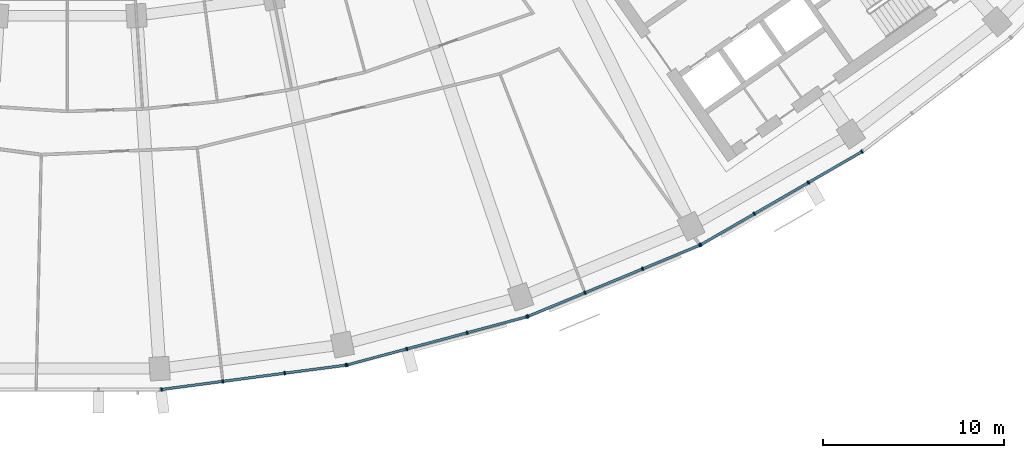
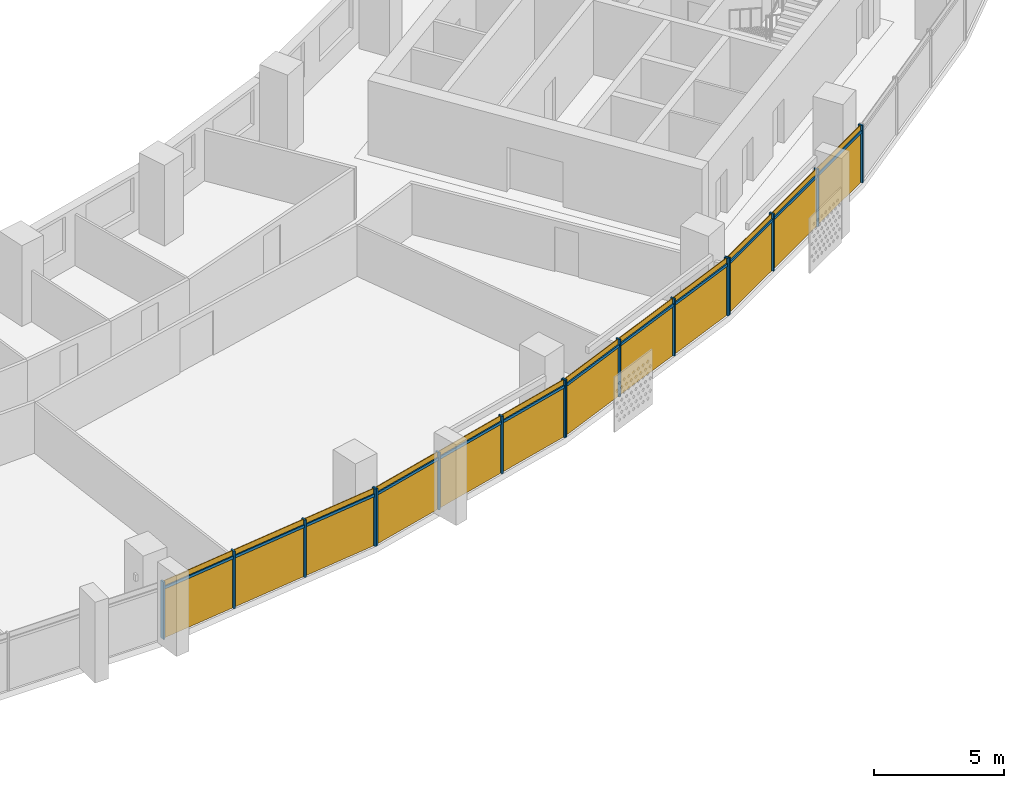
# One storey, part 21 of 26: 28 members, 4 curtain walls.
"""IFC4 building model written with IfcOpenShell, lengths in metres."""

from ifc_helpers import new_model, si_unit, direction, frame, origin, origin_2d, place, context, subcontext, project, spatial, rectangle, extrude, material, material_profile, profile_set, type_object, element, aggregate, save


model = new_model("IFC4")

# Units and contexts
model_context = context("Model", 3, precision=1e-05, world=origin(), true_north=direction((0.0, 1.0)))
body_context = subcontext(model_context, "Body", "Model", "MODEL_VIEW")
ifc_project = project(units=[si_unit("LENGTHUNIT", "METRE"), si_unit("AREAUNIT", "SQUARE_METRE"), si_unit("VOLUMEUNIT", "CUBIC_METRE"), si_unit("PLANEANGLEUNIT", "RADIAN"), si_unit("MASSUNIT", "GRAM", prefix="KILO")], contexts=[model_context])

# Member
ifc_material = material(Name="Aluminium 6063-T6 anodised", Category="aluminium")
ifc_material_profile_1 = material_profile(ifc_material, rectangle(XDim=0.199951171875, YDim=0.070068359375, at=origin_2d()))
ifc_profile_set_1 = profile_set([ifc_material_profile_1], Name="Aluminium 6063-T6 anodised")
member_type_1 = type_object("IfcMemberType", Name="Mullion 70 x 200 aluminium", PredefinedType="MULLION", material=ifc_profile_set_1)
site_placement = place(None, origin())
building_placement = place(site_placement, origin())
storey_placement = place(building_placement, frame((0.0, 0.0, 183.5)))
member_1_placement = place(storey_placement, frame((5.1884765625, -78.72705078125, 0.0), z_axis=(0.0, 0.0, 1.0), x_axis=(-0.13052619222, 0.991444861374, 0.0)))
member_1 = element("IfcMember", 1, at=member_1_placement, type_object=member_type_1, Name="e-cw1-L43-out08/M00", PredefinedType="MULLION", context=body_context, shape_type="SweptSolid", body=[
    extrude(rectangle(XDim=0.199951171875, YDim=0.070068359375, at=origin_2d()), origin(), (0.0, 0.0, 1.0), 2.699951171875),
])

member_2_placement = place(storey_placement, frame((8.56884765625, -78.2822265625, 0.0), z_axis=(0.0, 0.0, 1.0), x_axis=(-0.13052619222, 0.991444861374, 0.0)))
member_2 = element("IfcMember", 2, at=member_2_placement, type_object=member_type_1, Name="e-cw1-L43-out08/M01", PredefinedType="MULLION", context=body_context, shape_type="SweptSolid", body=[
    extrude(rectangle(XDim=0.199951171875, YDim=0.070068359375, at=origin_2d()), origin(), (0.0, 0.0, 1.0), 2.699951171875),
])

member_3_placement = place(storey_placement, frame((11.98388671875, -77.83251953125, 0.0), z_axis=(0.0, 0.0, 1.0), x_axis=(-0.13052619222, 0.991444861374, 0.0)))
member_3 = element("IfcMember", 3, at=member_3_placement, type_object=member_type_1, Name="e-cw1-L43-out08/M02", PredefinedType="MULLION", context=body_context, shape_type="SweptSolid", body=[
    extrude(rectangle(XDim=0.199951171875, YDim=0.070068359375, at=origin_2d()), origin(), (0.0, 0.0, 1.0), 2.699951171875),
])

member_4_placement = place(storey_placement, frame((15.364501953125, -77.387451171875, 0.0), z_axis=(0.0, 0.0, 1.0), x_axis=(-0.13052619222, 0.991444861374, 0.0)))
member_4 = element("IfcMember", 4, at=member_4_placement, type_object=member_type_1, Name="e-cw1-L43-out08/M03", PredefinedType="MULLION", context=body_context, shape_type="SweptSolid", body=[
    extrude(rectangle(XDim=0.199951171875, YDim=0.070068359375, at=origin_2d()), origin(), (0.0, 0.0, 1.0), 2.699951171875),
])

member_5_placement = place(storey_placement, frame((15.420166015625, -77.37646484375, 0.0), z_axis=(0.0, 0.0, 1.0), x_axis=(-0.258819045103, 0.965925826289, 0.0)))
member_5 = element("IfcMember", 5, at=member_5_placement, type_object=member_type_1, Name="e-cw1-L43-out09/M00", PredefinedType="MULLION", context=body_context, shape_type="SweptSolid", body=[
    extrude(rectangle(XDim=0.199951171875, YDim=0.070068359375, at=origin_2d()), origin(), (0.0, 0.0, 1.0), 2.699951171875),
])

member_6_placement = place(storey_placement, frame((18.71337890625, -76.493896484375, 0.0), z_axis=(0.0, 0.0, 1.0), x_axis=(-0.258819045103, 0.965925826289, 0.0)))
member_6 = element("IfcMember", 6, at=member_6_placement, type_object=member_type_1, Name="e-cw1-L43-out09/M01", PredefinedType="MULLION", context=body_context, shape_type="SweptSolid", body=[
    extrude(rectangle(XDim=0.199951171875, YDim=0.070068359375, at=origin_2d()), origin(), (0.0, 0.0, 1.0), 2.699951171875),
])

member_7_placement = place(storey_placement, frame((22.04052734375, -75.602294921875, 0.0), z_axis=(0.0, 0.0, 1.0), x_axis=(-0.258819045103, 0.965925826289, 0.0)))
member_7 = element("IfcMember", 7, at=member_7_placement, type_object=member_type_1, Name="e-cw1-L43-out09/M02", PredefinedType="MULLION", context=body_context, shape_type="SweptSolid", body=[
    extrude(rectangle(XDim=0.199951171875, YDim=0.070068359375, at=origin_2d()), origin(), (0.0, 0.0, 1.0), 2.699951171875),
])

member_8_placement = place(storey_placement, frame((25.333984375, -74.719970703125, 0.0), z_axis=(0.0, 0.0, 1.0), x_axis=(-0.258819045103, 0.965925826289, 0.0)))
member_8 = element("IfcMember", 8, at=member_8_placement, type_object=member_type_1, Name="e-cw1-L43-out09/M03", PredefinedType="MULLION", context=body_context, shape_type="SweptSolid", body=[
    extrude(rectangle(XDim=0.199951171875, YDim=0.070068359375, at=origin_2d()), origin(), (0.0, 0.0, 1.0), 2.699951171875),
])

member_9_placement = place(storey_placement, frame((25.3876953125, -74.70166015625, 0.0), z_axis=(0.0, 0.0, 1.0), x_axis=(-0.382683432365, 0.923879532511, 0.0)))
member_9 = element("IfcMember", 9, at=member_9_placement, type_object=member_type_1, Name="e-cw1-L43-out10/M00", PredefinedType="MULLION", context=body_context, shape_type="SweptSolid", body=[
    extrude(rectangle(XDim=0.199951171875, YDim=0.070068359375, at=origin_2d()), origin(), (0.0, 0.0, 1.0), 2.699951171875),
])

member_10_placement = place(storey_placement, frame((28.537841796875, -73.39697265625, 0.0), z_axis=(0.0, 0.0, 1.0), x_axis=(-0.382683432365, 0.923879532511, 0.0)))
member_10 = element("IfcMember", 10, at=member_10_placement, type_object=member_type_1, Name="e-cw1-L43-out10/M01", PredefinedType="MULLION", context=body_context, shape_type="SweptSolid", body=[
    extrude(rectangle(XDim=0.199951171875, YDim=0.070068359375, at=origin_2d()), origin(), (0.0, 0.0, 1.0), 2.699951171875),
])

member_11_placement = place(storey_placement, frame((31.72021484375, -72.078857421875, 0.0), z_axis=(0.0, 0.0, 1.0), x_axis=(-0.382683432365, 0.923879532511, 0.0)))
member_11 = element("IfcMember", 11, at=member_11_placement, type_object=member_type_1, Name="e-cw1-L43-out10/M02", PredefinedType="MULLION", context=body_context, shape_type="SweptSolid", body=[
    extrude(rectangle(XDim=0.199951171875, YDim=0.070068359375, at=origin_2d()), origin(), (0.0, 0.0, 1.0), 2.699951171875),
])

member_12_placement = place(storey_placement, frame((34.8701171875, -70.77392578125, 0.0), z_axis=(0.0, 0.0, 1.0), x_axis=(-0.382683432365, 0.923879532511, 0.0)))
member_12 = element("IfcMember", 12, at=member_12_placement, type_object=member_type_1, Name="e-cw1-L43-out10/M03", PredefinedType="MULLION", context=body_context, shape_type="SweptSolid", body=[
    extrude(rectangle(XDim=0.199951171875, YDim=0.070068359375, at=origin_2d()), origin(), (0.0, 0.0, 1.0), 2.699951171875),
])

member_13_placement = place(storey_placement, frame((34.921142578125, -70.748779296875, 0.0), z_axis=(0.0, 0.0, 1.0), x_axis=(-0.5, 0.866025403784, 0.0)))
member_13 = element("IfcMember", 13, at=member_13_placement, type_object=member_type_1, Name="e-cw1-L43-out11/M00", PredefinedType="MULLION", context=body_context, shape_type="SweptSolid", body=[
    extrude(rectangle(XDim=0.199951171875, YDim=0.070068359375, at=origin_2d()), origin(), (0.0, 0.0, 1.0), 2.699951171875),
])

member_14_placement = place(storey_placement, frame((37.873779296875, -69.0439453125, 0.0), z_axis=(0.0, 0.0, 1.0), x_axis=(-0.5, 0.866025403784, 0.0)))
member_14 = element("IfcMember", 14, at=member_14_placement, type_object=member_type_1, Name="e-cw1-L43-out11/M01", PredefinedType="MULLION", context=body_context, shape_type="SweptSolid", body=[
    extrude(rectangle(XDim=0.199951171875, YDim=0.070068359375, at=origin_2d()), origin(), (0.0, 0.0, 1.0), 2.699951171875),
])

member_15_placement = place(storey_placement, frame((40.85693359375, -67.32177734375, 0.0), z_axis=(0.0, 0.0, 1.0), x_axis=(-0.5, 0.866025403784, 0.0)))
member_15 = element("IfcMember", 15, at=member_15_placement, type_object=member_type_1, Name="e-cw1-L43-out11/M02", PredefinedType="MULLION", context=body_context, shape_type="SweptSolid", body=[
    extrude(rectangle(XDim=0.199951171875, YDim=0.070068359375, at=origin_2d()), origin(), (0.0, 0.0, 1.0), 2.699951171875),
])

member_16_placement = place(storey_placement, frame((43.809814453125, -65.616943359375, 0.0), z_axis=(0.0, 0.0, 1.0), x_axis=(-0.5, 0.866025403784, 0.0)))
member_16 = element("IfcMember", 16, at=member_16_placement, type_object=member_type_1, Name="e-cw1-L43-out11/M03", PredefinedType="MULLION", context=body_context, shape_type="SweptSolid", body=[
    extrude(rectangle(XDim=0.199951171875, YDim=0.070068359375, at=origin_2d()), origin(), (0.0, 0.0, 1.0), 2.699951171875),
])

ifc_material_profile_2 = material_profile(ifc_material, rectangle(XDim=0.139892578125, YDim=0.1201171875, at=origin_2d()))
ifc_profile_set_2 = profile_set([ifc_material_profile_2], Name="Aluminium 6063-T6 anodised")
member_type_2 = type_object("IfcMemberType", Name="Transom 120 x 140 aluminium", PredefinedType="USERDEFINED", material=ifc_profile_set_2)
member_17_placement = place(storey_placement, frame((5.22314453125, -78.72265625, 2.39990234375), z_axis=(0.991439857731, 0.130564193033, 0.0), x_axis=(-0.130564193033, 0.991439857731, 0.0)))
member_17 = element("IfcMember", 17, at=member_17_placement, type_object=member_type_2, Name="e-cw1-L43-out08/T00", ObjectType="TRANSOM", PredefinedType="USERDEFINED", context=body_context, shape_type="SweptSolid", body=[
    extrude(rectangle(XDim=0.139892578125, YDim=0.1201171875, at=origin_2d()), origin(), (0.0, 0.0, 1.0), 3.339599609375),
])

member_18_placement = place(storey_placement, frame((8.603515625, -78.277587890625, 2.39990234375), z_axis=(0.991446413845, 0.130514399487, 0.0), x_axis=(-0.130514399487, 0.991446413845, 0.0)))
member_18 = element("IfcMember", 18, at=member_18_placement, type_object=member_type_2, Name="e-cw1-L43-out08/T01", ObjectType="TRANSOM", PredefinedType="USERDEFINED", context=body_context, shape_type="SweptSolid", body=[
    extrude(rectangle(XDim=0.139892578125, YDim=0.1201171875, at=origin_2d()), origin(), (0.0, 0.0, 1.0), 3.37451171875),
])

member_19_placement = place(storey_placement, frame((12.018798828125, -77.827880859375, 2.39990234375), z_axis=(0.991448073325, 0.130501792706, 0.0), x_axis=(-0.130501792706, 0.991448073325, 0.0)))
member_19 = element("IfcMember", 19, at=member_19_placement, type_object=member_type_2, Name="e-cw1-L43-out08/T02", ObjectType="TRANSOM", PredefinedType="USERDEFINED", context=body_context, shape_type="SweptSolid", body=[
    extrude(rectangle(XDim=0.139892578125, YDim=0.1201171875, at=origin_2d()), origin(), (0.0, 0.0, 1.0), 3.33935546875),
])

member_20_placement = place(storey_placement, frame((15.453857421875, -77.367431640625, 2.39990234375), z_axis=(0.96591509168, 0.258859103886, 0.0), x_axis=(-0.258859103886, 0.96591509168, 0.0)))
member_20 = element("IfcMember", 20, at=member_20_placement, type_object=member_type_2, Name="e-cw1-L43-out09/T00", ObjectType="TRANSOM", PredefinedType="USERDEFINED", context=body_context, shape_type="SweptSolid", body=[
    extrude(rectangle(XDim=0.139892578125, YDim=0.1201171875, at=origin_2d()), origin(), (0.0, 0.0, 1.0), 3.339599609375),
])

member_21_placement = place(storey_placement, frame((18.747314453125, -76.48486328125, 2.39990234375), z_axis=(0.965932873966, 0.258792741381, 0.0), x_axis=(-0.258792741381, 0.965932873966, 0.0)))
member_21 = element("IfcMember", 21, at=member_21_placement, type_object=member_type_2, Name="e-cw1-L43-out09/T01", ObjectType="TRANSOM", PredefinedType="USERDEFINED", context=body_context, shape_type="SweptSolid", body=[
    extrude(rectangle(XDim=0.139892578125, YDim=0.1201171875, at=origin_2d()), origin(), (0.0, 0.0, 1.0), 3.37451171875),
])

member_22_placement = place(storey_placement, frame((22.074462890625, -75.59326171875, 2.39990234375), z_axis=(0.965933368091, 0.258790897074, 0.0), x_axis=(-0.258790897074, 0.965933368091, 0.0)))
member_22 = element("IfcMember", 22, at=member_22_placement, type_object=member_type_2, Name="e-cw1-L43-out09/T02", ObjectType="TRANSOM", PredefinedType="USERDEFINED", context=body_context, shape_type="SweptSolid", body=[
    extrude(rectangle(XDim=0.139892578125, YDim=0.1201171875, at=origin_2d()), origin(), (0.0, 0.0, 1.0), 3.339599609375),
])

member_23_placement = place(storey_placement, frame((25.420166015625, -74.688232421875, 2.39990234375), z_axis=(0.923890305385, 0.382657423311, 0.0), x_axis=(-0.382657423311, 0.923890305385, 0.0)))
member_23 = element("IfcMember", 23, at=member_23_placement, type_object=member_type_2, Name="e-cw1-L43-out10/T00", ObjectType="TRANSOM", PredefinedType="USERDEFINED", context=body_context, shape_type="SweptSolid", body=[
    extrude(rectangle(XDim=0.139892578125, YDim=0.1201171875, at=origin_2d()), origin(), (0.0, 0.0, 1.0), 3.33935546875),
])

member_24_placement = place(storey_placement, frame((28.570068359375, -73.383544921875, 2.39990234375), z_axis=(0.923866926753, 0.382713863941, 0.0), x_axis=(-0.382713863941, 0.923866926753, 0.0)))
member_24 = element("IfcMember", 24, at=member_24_placement, type_object=member_type_2, Name="e-cw1-L43-out10/T01", ObjectType="TRANSOM", PredefinedType="USERDEFINED", context=body_context, shape_type="SweptSolid", body=[
    extrude(rectangle(XDim=0.139892578125, YDim=0.1201171875, at=origin_2d()), origin(), (0.0, 0.0, 1.0), 3.37451171875),
])

member_25_placement = place(storey_placement, frame((31.75244140625, -72.0654296875, 2.39990234375), z_axis=(0.923875164544, 0.382693977401, 0.0), x_axis=(-0.382693977401, 0.923875164544, 0.0)))
member_25 = element("IfcMember", 25, at=member_25_placement, type_object=member_type_2, Name="e-cw1-L43-out10/T02", ObjectType="TRANSOM", PredefinedType="USERDEFINED", context=body_context, shape_type="SweptSolid", body=[
    extrude(rectangle(XDim=0.139892578125, YDim=0.1201171875, at=origin_2d()), origin(), (0.0, 0.0, 1.0), 3.339599609375),
])

member_26_placement = place(storey_placement, frame((34.951416015625, -70.7314453125, 2.39990234375), z_axis=(0.866002968352, 0.500038857296, 0.0), x_axis=(-0.500038857296, 0.866002968352, 0.0)))
member_26 = element("IfcMember", 26, at=member_26_placement, type_object=member_type_2, Name="e-cw1-L43-out11/T00", ObjectType="TRANSOM", PredefinedType="USERDEFINED", context=body_context, shape_type="SweptSolid", body=[
    extrude(rectangle(XDim=0.139892578125, YDim=0.1201171875, at=origin_2d()), origin(), (0.0, 0.0, 1.0), 3.339599609375),
])

member_27_placement = place(storey_placement, frame((37.904296875, -69.026611328125, 2.39990234375), z_axis=(0.86602172966, 0.500006363716, 0.0), x_axis=(-0.500006363716, 0.86602172966, 0.0)))
member_27 = element("IfcMember", 27, at=member_27_placement, type_object=member_type_2, Name="e-cw1-L43-out11/T01", ObjectType="TRANSOM", PredefinedType="USERDEFINED", context=body_context, shape_type="SweptSolid", body=[
    extrude(rectangle(XDim=0.139892578125, YDim=0.1201171875, at=origin_2d()), origin(), (0.0, 0.0, 1.0), 3.37451171875),
])

member_28_placement = place(storey_placement, frame((40.88720703125, -67.30419921875, 2.39990234375), z_axis=(0.866052898888, 0.49995237406, 0.0), x_axis=(-0.49995237406, 0.866052898888, 0.0)))
member_28 = element("IfcMember", 28, at=member_28_placement, type_object=member_type_2, Name="e-cw1-L43-out11/T02", ObjectType="TRANSOM", PredefinedType="USERDEFINED", context=body_context, shape_type="SweptSolid", body=[
    extrude(rectangle(XDim=0.139892578125, YDim=0.1201171875, at=origin_2d()), origin(), (0.0, 0.0, 1.0), 3.339599609375),
])

# Site, building, storey
site = spatial("IfcSite", under=ifc_project, at=site_placement, CompositionType="ELEMENT")
building = spatial("IfcBuilding", under=site, at=building_placement, Name="Qamariyya Broadcast Tower", CompositionType="ELEMENT")
storey = spatial("IfcBuildingStorey", under=building, at=storey_placement, Name="L43", CompositionType="ELEMENT", Elevation=183.5)

# Curtain wall
curtain_wall_type = type_object("IfcCurtainWallType", Name="Unitised curtain wall, anodised aluminium", PredefinedType="NOTDEFINED", material=ifc_material)
curtain_wall_1_placement = place(storey_placement, origin())
curtain_wall_1 = element("IfcCurtainWall", 29, at=curtain_wall_1_placement, inside=storey, type_object=curtain_wall_type, Name="e-cw1-L43-out08", PredefinedType="NOTDEFINED", context=body_context, shape_type="SweptSolid", body=[
    extrude(rectangle(XDim=3.339599609375, YDim=0.031982421875, at=origin_2d()), frame((6.878662109375, -78.504638671875, 0.0), x_axis=(0.991444240905, 0.130530905064, 0.0)), (0.0, 0.0, 1.0), 2.340087890625),
    extrude(rectangle(XDim=3.339599609375, YDim=0.031982421875, at=origin_2d()), frame((6.878662109375, -78.504638671875, 2.4599609375), x_axis=(0.991444240905, 0.130530905064, 0.0)), (0.0, 0.0, 1.0), 0.239990234375),
    extrude(rectangle(XDim=3.37451171875, YDim=0.031982421875, at=origin_2d()), frame((10.2763671875, -78.05712890625, 0.0), x_axis=(0.991444240905, 0.130530905064, 0.0)), (0.0, 0.0, 1.0), 2.340087890625),
    extrude(rectangle(XDim=3.37451171875, YDim=0.031982421875, at=origin_2d()), frame((10.2763671875, -78.05712890625, 2.4599609375), x_axis=(0.991444240905, 0.130530905064, 0.0)), (0.0, 0.0, 1.0), 0.239990234375),
    extrude(rectangle(XDim=3.339599609375, YDim=0.031982421875, at=origin_2d()), frame((13.67431640625, -77.60986328125, 0.0), x_axis=(0.991444240905, 0.130530905064, 0.0)), (0.0, 0.0, 1.0), 2.340087890625),
    extrude(rectangle(XDim=3.339599609375, YDim=0.031982421875, at=origin_2d()), frame((13.67431640625, -77.60986328125, 2.4599609375), x_axis=(0.991444240905, 0.130530905064, 0.0)), (0.0, 0.0, 1.0), 0.239990234375),
])

aggregate(curtain_wall_1, [member_1, member_2, member_3, member_4, member_17, member_18, member_19])

curtain_wall_2_placement = place(storey_placement, origin())
curtain_wall_2 = element("IfcCurtainWall", 30, at=curtain_wall_2_placement, inside=storey, type_object=curtain_wall_type, Name="e-cw1-L43-out09", PredefinedType="NOTDEFINED", context=body_context, shape_type="SweptSolid", body=[
    extrude(rectangle(XDim=3.339599609375, YDim=0.031982421875, at=origin_2d()), frame((17.066650390625, -76.935302734375, 0.0), x_axis=(0.965926433062, 0.258816780584, 0.0)), (0.0, 0.0, 1.0), 2.340087890625),
    extrude(rectangle(XDim=3.339599609375, YDim=0.031982421875, at=origin_2d()), frame((17.066650390625, -76.935302734375, 2.4599609375), x_axis=(0.965926433062, 0.258816780584, 0.0)), (0.0, 0.0, 1.0), 0.239990234375),
    extrude(rectangle(XDim=3.37451171875, YDim=0.031982421875, at=origin_2d()), frame((20.376953125, -76.04833984375, 0.0), x_axis=(0.965926433062, 0.258816780584, 0.0)), (0.0, 0.0, 1.0), 2.340087890625),
    extrude(rectangle(XDim=3.37451171875, YDim=0.031982421875, at=origin_2d()), frame((20.376953125, -76.04833984375, 2.4599609375), x_axis=(0.965926433062, 0.258816780584, 0.0)), (0.0, 0.0, 1.0), 0.239990234375),
    extrude(rectangle(XDim=3.339599609375, YDim=0.031982421875, at=origin_2d()), frame((23.6875, -75.1611328125, 0.0), x_axis=(0.965926433062, 0.258816780584, 0.0)), (0.0, 0.0, 1.0), 2.340087890625),
    extrude(rectangle(XDim=3.339599609375, YDim=0.031982421875, at=origin_2d()), frame((23.6875, -75.1611328125, 2.4599609375), x_axis=(0.965926433062, 0.258816780584, 0.0)), (0.0, 0.0, 1.0), 0.239990234375),
])

aggregate(curtain_wall_2, [member_5, member_6, member_7, member_8, member_20, member_21, member_22])

curtain_wall_3_placement = place(storey_placement, origin())
curtain_wall_3 = element("IfcCurtainWall", 31, at=curtain_wall_3_placement, inside=storey, type_object=curtain_wall_type, Name="e-cw1-L43-out10", PredefinedType="NOTDEFINED", context=body_context, shape_type="SweptSolid", body=[
    extrude(rectangle(XDim=3.339599609375, YDim=0.031982421875, at=origin_2d()), frame((26.962890625, -74.04931640625, 0.0), x_axis=(0.923878040314, 0.382687034829, 0.0)), (0.0, 0.0, 1.0), 2.340087890625),
    extrude(rectangle(XDim=3.339599609375, YDim=0.031982421875, at=origin_2d()), frame((26.962890625, -74.04931640625, 2.4599609375), x_axis=(0.923878040314, 0.382687034829, 0.0)), (0.0, 0.0, 1.0), 0.239990234375),
    extrude(rectangle(XDim=3.37451171875, YDim=0.031982421875, at=origin_2d()), frame((30.12890625, -72.73779296875, 0.0), x_axis=(0.923878040314, 0.382687034829, 0.0)), (0.0, 0.0, 1.0), 2.340087890625),
    extrude(rectangle(XDim=3.37451171875, YDim=0.031982421875, at=origin_2d()), frame((30.12890625, -72.73779296875, 2.4599609375), x_axis=(0.923878040314, 0.382687034829, 0.0)), (0.0, 0.0, 1.0), 0.239990234375),
    extrude(rectangle(XDim=3.339599609375, YDim=0.031982421875, at=origin_2d()), frame((33.295166015625, -71.42626953125, 0.0), x_axis=(0.923878040314, 0.382687034829, 0.0)), (0.0, 0.0, 1.0), 2.340087890625),
    extrude(rectangle(XDim=3.339599609375, YDim=0.031982421875, at=origin_2d()), frame((33.295166015625, -71.42626953125, 2.4599609375), x_axis=(0.923878040314, 0.382687034829, 0.0)), (0.0, 0.0, 1.0), 0.239990234375),
])

aggregate(curtain_wall_3, [member_9, member_10, member_11, member_12, member_23, member_24, member_25])

curtain_wall_4_placement = place(storey_placement, origin())
curtain_wall_4 = element("IfcCurtainWall", 32, at=curtain_wall_4_placement, inside=storey, type_object=curtain_wall_type, Name="e-cw1-L43-out11", PredefinedType="NOTDEFINED", context=body_context, shape_type="SweptSolid", body=[
    extrude(rectangle(XDim=3.339599609375, YDim=0.031982421875, at=origin_2d()), frame((36.3974609375, -69.896484375, 0.0), x_axis=(0.866028999376, 0.499993772201, 0.0)), (0.0, 0.0, 1.0), 2.340087890625),
    extrude(rectangle(XDim=3.339599609375, YDim=0.031982421875, at=origin_2d()), frame((36.3974609375, -69.896484375, 2.4599609375), x_axis=(0.866028999376, 0.499993772201, 0.0)), (0.0, 0.0, 1.0), 0.239990234375),
    extrude(rectangle(XDim=3.37451171875, YDim=0.031982421875, at=origin_2d()), frame((39.365478515625, -68.18310546875, 0.0), x_axis=(0.866028999376, 0.499993772201, 0.0)), (0.0, 0.0, 1.0), 2.340087890625),
    extrude(rectangle(XDim=3.37451171875, YDim=0.031982421875, at=origin_2d()), frame((39.365478515625, -68.18310546875, 2.4599609375), x_axis=(0.866028999376, 0.499993772201, 0.0)), (0.0, 0.0, 1.0), 0.239990234375),
    extrude(rectangle(XDim=3.339599609375, YDim=0.031982421875, at=origin_2d()), frame((42.33349609375, -66.469482421875, 0.0), x_axis=(0.866028999376, 0.499993772201, 0.0)), (0.0, 0.0, 1.0), 2.340087890625),
    extrude(rectangle(XDim=3.339599609375, YDim=0.031982421875, at=origin_2d()), frame((42.33349609375, -66.469482421875, 2.4599609375), x_axis=(0.866028999376, 0.499993772201, 0.0)), (0.0, 0.0, 1.0), 0.239990234375),
])

aggregate(curtain_wall_4, [member_13, member_14, member_15, member_16, member_26, member_27, member_28])

save(model, "model.ifc")
